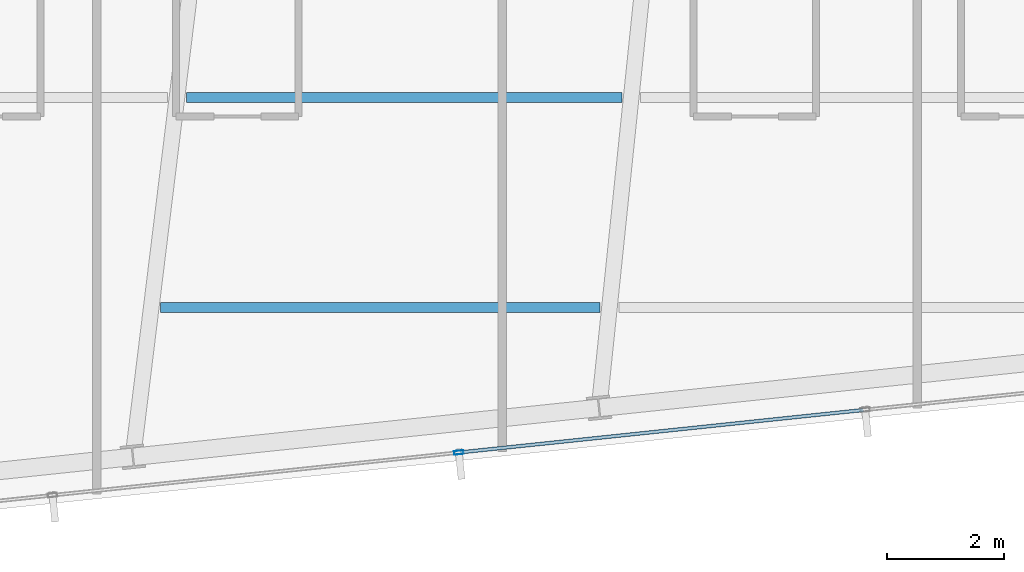
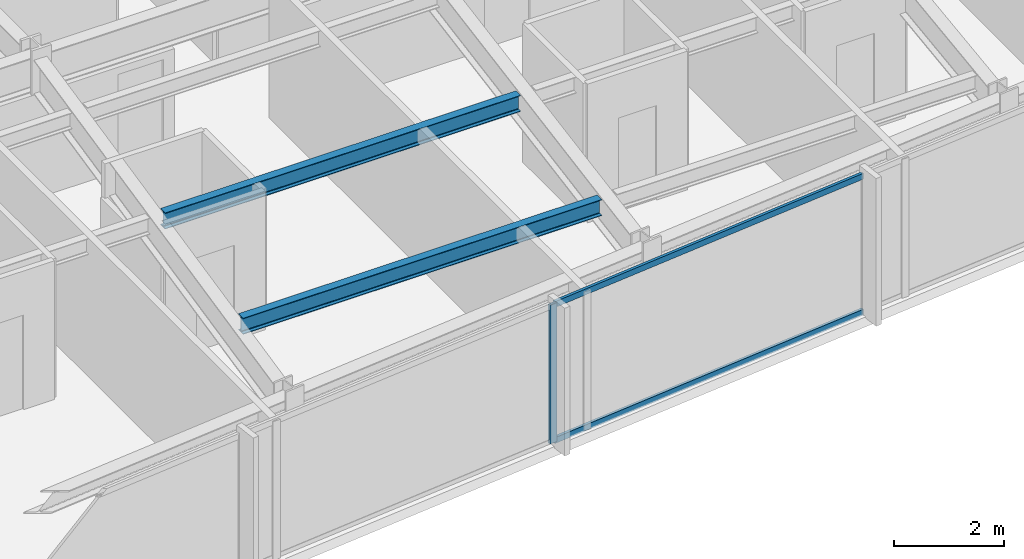
# One storey, part 7 of 33: 3 members, 2 beams, 1 element without a shape of its own.
"""IFC4 building model written with IfcOpenShell, lengths in metres."""

from ifc_helpers import new_model, si_unit, direction, frame, origin, origin_2d, place, context, subcontext, project, spatial, hollow_rectangle, i_section, extrude, material, material_profile, profile_set, type_object, element, aggregate, save


model = new_model("IFC4")

# Units and contexts
model_context = context("Model", 3, precision=1e-05, world=origin(), true_north=direction((0.0, 1.0)))
body_context = subcontext(model_context, "Body", "Model", "MODEL_VIEW")
ifc_project = project(units=[si_unit("LENGTHUNIT", "METRE"), si_unit("AREAUNIT", "SQUARE_METRE"), si_unit("VOLUMEUNIT", "CUBIC_METRE"), si_unit("PLANEANGLEUNIT", "RADIAN"), si_unit("MASSUNIT", "GRAM", prefix="KILO")], contexts=[model_context])

# Site, building, storey
site_placement = place(None, origin())
site = spatial("IfcSite", under=ifc_project, at=site_placement, CompositionType="ELEMENT")
building_placement = place(site_placement, origin())
building = spatial("IfcBuilding", under=site, at=building_placement, Name="Yelkora Congress Tower", CompositionType="ELEMENT")
storey_placement = place(building_placement, frame((0.0, 0.0, 237.5)))
storey = spatial("IfcBuildingStorey", under=building, at=storey_placement, Name="L66", CompositionType="ELEMENT", Elevation=237.5)

# Beams
ifc_material_1 = material(Name="Steel S355J2", Category="steel")
ifc_material_profile_1 = material_profile(ifc_material_1, i_section(OverallWidth=0.169921875, OverallDepth=0.360107421875, WebThickness=0.008056640625, FlangeThickness=0.0126953125, FilletRadius=0.01806640625, at=origin_2d()), Name="IPE 360")
ifc_profile_set_1 = profile_set([ifc_material_profile_1], Name="Steel S355J2")
beam_type = type_object("IfcBeamType", Name="BM-JOIST-IPE360", PredefinedType="JOIST", material=ifc_profile_set_1)
beam_1_placement = place(storey_placement, frame((29.76220703125, 16.07861328125, 2.89990234375), z_axis=(1.0, 0.0, 0.0), x_axis=(0.0, 1.0, 0.0)))
element("IfcBeam", 1, at=beam_1_placement, inside=storey, type_object=beam_type, Name="L66 Composite Floor Joist 1", PredefinedType="JOIST", context=body_context, shape_type="SweptSolid", body=[
    extrude(i_section(OverallWidth=0.169921875, OverallDepth=0.360107421875, WebThickness=0.008056640625, FlangeThickness=0.0126953125, FilletRadius=0.01806640625, at=origin_2d()), origin(), (0.0, 0.0, 1.0), 7.53369140625),
])
beam_2_placement = place(storey_placement, frame((30.203369140625, 19.678466796875, 2.89990234375), z_axis=(1.0, 0.0, 0.0), x_axis=(0.0, 1.0, 0.0)))
element("IfcBeam", 2, at=beam_2_placement, inside=storey, type_object=beam_type, Name="L66 Composite Floor Joist 4", PredefinedType="JOIST", context=body_context, shape_type="SweptSolid", body=[
    extrude(i_section(OverallWidth=0.169921875, OverallDepth=0.360107421875, WebThickness=0.008056640625, FlangeThickness=0.0126953125, FilletRadius=0.01806640625, at=origin_2d()), origin(), (0.0, 0.0, 1.0), 7.465087890625),
])

# Curtain wall, members
ifc_material_2 = material(Name="Anodised aluminium and insulated glass", Category="aluminium")
curtain_wall_type = type_object("IfcCurtainWallType", Name="CW-SYS-B4", PredefinedType="NOTDEFINED", material=ifc_material_2)
curtain_wall_placement = place(storey_placement, origin())
curtain_wall = element("IfcCurtainWall", 3, at=curtain_wall_placement, inside=storey, type_object=curtain_wall_type, Name="L66 Unitised Curtain Wall 20", PredefinedType="NOTDEFINED")
ifc_material_3 = material(Name="Anodised aluminium 6063-T6", Category="aluminium")
ifc_material_profile_2 = material_profile(ifc_material_3, hollow_rectangle(XDim=0.06494140625, YDim=0.159912109375, WallThickness=0.00390625, at=origin_2d()), Name="ALU 65x160x4")
ifc_profile_set_2 = profile_set([ifc_material_profile_2], Name="Anodised aluminium 6063-T6")
member_type_1 = type_object("IfcMemberType", Name="MEM-ML-B4", PredefinedType="MULLION", material=ifc_profile_set_2)
member_1_placement = place(storey_placement, frame((34.87353515625, 13.592529296875, 0.0), z_axis=(0.0, 0.0, 1.0), x_axis=(0.104526664994, -0.994522084373, 0.0)))
member_1 = element("IfcMember", 4, at=member_1_placement, type_object=member_type_1, Name="CW-B4 mullion 6", PredefinedType="MULLION", context=body_context, shape_type="SweptSolid", body=[
    extrude(hollow_rectangle(XDim=0.06494140625, YDim=0.159912109375, WallThickness=0.00390625, at=origin_2d()), origin(), (0.0, 0.0, 1.0), 3.080078125),
])
ifc_material_profile_3 = material_profile(ifc_material_3, hollow_rectangle(XDim=0.06005859375, YDim=0.1298828125, WallThickness=0.00390625, at=origin_2d()), Name="ALU 60x130x4")
ifc_profile_set_3 = profile_set([ifc_material_profile_3], Name="Anodised aluminium 6063-T6")
member_type_2 = type_object("IfcMemberType", Name="MEM-TR-B4", PredefinedType="USERDEFINED", material=ifc_profile_set_3)
member_2_placement = place(storey_placement, frame((41.8056640625, 14.321044921875, 0.030029296875), z_axis=(-0.99452317859, -0.104516253509, 0.0), x_axis=(0.104516253509, -0.99452317859, 0.0)))
member_2 = element("IfcMember", 5, at=member_2_placement, type_object=member_type_2, Name="CW-B4 transom 5.1", ObjectType="TRANSOM", PredefinedType="USERDEFINED", context=body_context, shape_type="SweptSolid", body=[
    extrude(hollow_rectangle(XDim=0.06005859375, YDim=0.1298828125, WallThickness=0.00390625, at=origin_2d()), origin(), (0.0, 0.0, 1.0), 6.937744140625),
])
member_3_placement = place(storey_placement, frame((41.8056640625, 14.321044921875, 3.050048828125), z_axis=(-0.99452317859, -0.104516253509, 0.0), x_axis=(0.104516253509, -0.99452317859, 0.0)))
member_3 = element("IfcMember", 6, at=member_3_placement, type_object=member_type_2, Name="CW-B4 transom 5.2", ObjectType="TRANSOM", PredefinedType="USERDEFINED", context=body_context, shape_type="SweptSolid", body=[
    extrude(hollow_rectangle(XDim=0.06005859375, YDim=0.1298828125, WallThickness=0.00390625, at=origin_2d()), origin(), (0.0, 0.0, 1.0), 6.937744140625),
])
aggregate(curtain_wall, [member_1, member_2, member_3])

save(model, "model.ifc")
